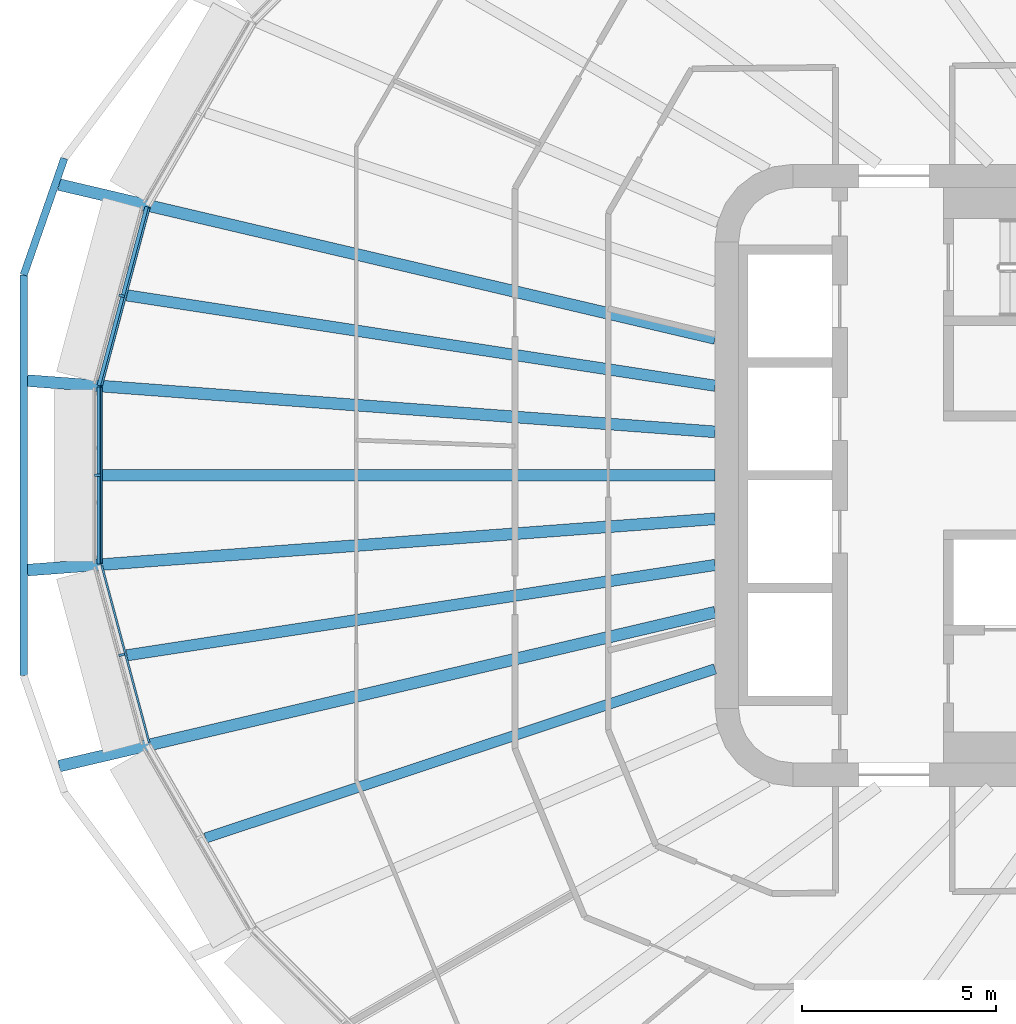
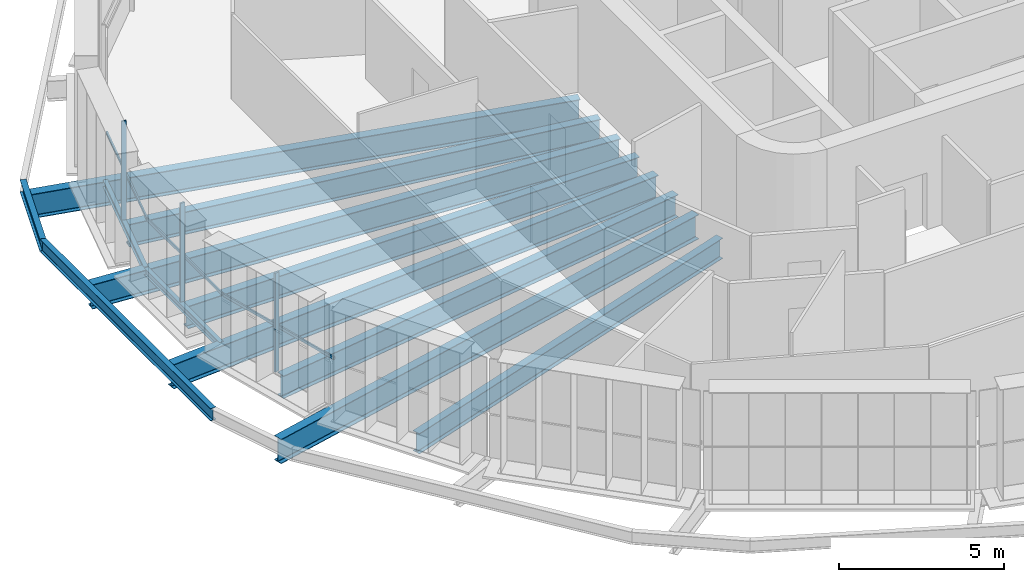
# One storey, part 3 of 24: 12 beams, 6 members, 3 elements without a shape of their own.
"""IFC4 building model written with IfcOpenShell, lengths in metres."""

import ifcopenshell
import ifcopenshell.guid

model = None  # the IFC model being written
_history = None  # IfcOwnerHistory: only IFC2X3 demands one
_inside = {}  # id of a spatial element -> (the spatial element, [elements in it])
_under = {}  # id of a project, library or spatial element -> (it, [spatial elements below it])
_declared = {}  # id of a project -> (the project, [libraries it declares])
_typed = {}  # id of a type object -> (the type object, [elements of that type])
_made_of = {}  # id of a material, layer set ... -> (it, [elements and type objects made of it])


def new_model(schema):
    """Start an empty IFC model of exactly this schema.

    Asked for "IFC4X3", IfcOpenShell would pick the latest addendum, in which some entities
    have other attributes; the version numbers below select the first issue.
    IFC2X3 requires an IfcOwnerHistory on every rooted entity: one is made here for all.
    """
    global model, _history
    if schema == "IFC4X3":
        model = ifcopenshell.file(schema_version=(4, 3, 0, 0))
    else:
        model = ifcopenshell.file(schema=schema)
    _inside.clear()
    _under.clear()
    _declared.clear()
    _typed.clear()
    _made_of.clear()
    _history = None
    if model.schema == "IFC2X3":
        org = make("IfcOrganization", Name="unknown")
        user = make(
            "IfcPersonAndOrganization",
            ThePerson=make("IfcPerson", FamilyName="unknown"),
            TheOrganization=org,
        )
        app = make(
            "IfcApplication",
            ApplicationDeveloper=org,
            Version="unknown",
            ApplicationFullName="unknown",
            ApplicationIdentifier="unknown",
        )
        _history = make(
            "IfcOwnerHistory",
            OwningUser=user,
            OwningApplication=app,
            ChangeAction="ADDED",
            CreationDate=0,
        )
    return model


def make(cls, **values):
    """One entity of the class cls with the attributes given. An attribute that is None is left unset."""
    return model.create_entity(
        cls, **{name: value for name, value in values.items() if value is not None}
    )


def rooted(cls, **values):
    """An entity with a GlobalId (a new one), such as an element, a storey or a relation."""
    return make(cls, GlobalId=ifcopenshell.guid.new(), OwnerHistory=_history, **values)


def si_unit(unit_type, name, prefix=None):
    """IfcSIUnit, for example si_unit("LENGTHUNIT", "METRE", prefix="MILLI")."""
    return make("IfcSIUnit", UnitType=unit_type, Prefix=prefix, Name=name)


def assignment(units):
    """IfcUnitAssignment: the units of a project."""
    return None if units is None else make("IfcUnitAssignment", Units=units)


def point(xyz):
    """IfcCartesianPoint."""
    return None if xyz is None else make("IfcCartesianPoint", Coordinates=xyz)


def direction(xyz):
    """IfcDirection."""
    return None if xyz is None else make("IfcDirection", DirectionRatios=xyz)


def frame(location, z_axis=None, x_axis=None):
    """IfcAxis2Placement3D, a coordinate frame: its origin and axes. An axis left out is left unset."""
    return make(
        "IfcAxis2Placement3D",
        Location=point(location),
        Axis=direction(z_axis),
        RefDirection=direction(x_axis),
    )


def frame_2d(location, x_axis=None):
    """IfcAxis2Placement2D, a coordinate frame in the plane: its origin and x axis."""
    return make(
        "IfcAxis2Placement2D", Location=point(location), RefDirection=direction(x_axis)
    )


def origin():
    """The frame at (0, 0, 0) with its axes left unset."""
    return frame((0.0, 0.0, 0.0))


def origin_2d():
    """The frame at (0, 0) in the plane with its x axis left unset."""
    return frame_2d((0.0, 0.0))


def place(relative_to, where):
    """IfcLocalPlacement: puts the frame where relative to a parent placement (None: the world)."""
    return make(
        "IfcLocalPlacement", PlacementRelTo=relative_to, RelativePlacement=where
    )


def context(
    kind, dimensions, precision=None, world=None, true_north=None, identifier=None
):
    """IfcGeometricRepresentationContext, for example the 3D "Model" context."""
    return make(
        "IfcGeometricRepresentationContext",
        ContextIdentifier=identifier,
        ContextType=kind,
        CoordinateSpaceDimension=dimensions,
        Precision=precision,
        WorldCoordinateSystem=world,
        TrueNorth=true_north,
    )


def subcontext(parent, identifier, kind, view, scale=None):
    """IfcGeometricRepresentationSubContext, for example "Body" below "Model"."""
    return make(
        "IfcGeometricRepresentationSubContext",
        ContextIdentifier=identifier,
        ContextType=kind,
        ParentContext=parent,
        TargetScale=scale,
        TargetView=view,
    )


def project(units=None, contexts=None):
    """IfcProject with its units and contexts."""
    return rooted(
        "IfcProject",
        Name="project",
        RepresentationContexts=contexts,
        UnitsInContext=assignment(units),
    )


def spatial(cls, under=None, at=None, **own):
    """A site, building, storey or space (cls), placed at a placement, below another one or the project."""
    s = rooted(cls, ObjectPlacement=at, **own)
    if under is not None:
        _under.setdefault(under.id(), (under, []))[1].append(s)
    return s


def profile(cls, at=None, kind="AREA", **sizes):
    """A parametric profile (cls). Its sizes go by their IFC names, for example OverallWidth=200.0."""
    return make(cls, ProfileType=kind, Position=at, **sizes)


def rectangle(**sizes):
    """IfcRectangleProfileDef."""
    return profile("IfcRectangleProfileDef", **sizes)


def i_section(**sizes):
    """IfcIShapeProfileDef."""
    return profile("IfcIShapeProfileDef", **sizes)


def extrude(swept, where, along, depth):
    """IfcExtrudedAreaSolid: the profile swept, set in the frame where, extruded along a direction by depth."""
    return make(
        "IfcExtrudedAreaSolid",
        SweptArea=swept,
        Position=where,
        ExtrudedDirection=direction(along),
        Depth=depth,
    )


def shape(context_of_items, identifier, shape_type, items):
    """IfcShapeRepresentation: the items that make up one representation, for example the "Body"."""
    return make(
        "IfcShapeRepresentation",
        ContextOfItems=context_of_items,
        RepresentationIdentifier=identifier,
        RepresentationType=shape_type,
        Items=items,
    )


def material(Name=None, Category=None):
    """IfcMaterial."""
    return make("IfcMaterial", Name=Name, Category=Category)


def layer(
    of_material, thickness, ventilated=None, Name=None, Category=None, Priority=None
):
    """IfcMaterialLayer: one layer of a wall or slab, of a material (None: an air gap)."""
    return make(
        "IfcMaterialLayer",
        Material=of_material,
        LayerThickness=thickness,
        IsVentilated=ventilated,
        Name=Name,
        Category=Category,
        Priority=Priority,
    )


def layer_set(layers, Name=None):
    """IfcMaterialLayerSet."""
    return make("IfcMaterialLayerSet", MaterialLayers=layers, LayerSetName=Name)


def material_profile(
    of_material, cross_section, Name=None, Category=None, Priority=None
):
    """IfcMaterialProfile: a cross section and its material."""
    return make(
        "IfcMaterialProfile",
        Name=Name,
        Material=of_material,
        Profile=cross_section,
        Priority=Priority,
        Category=Category,
    )


def profile_set(profiles, Name=None, composite=None):
    """IfcMaterialProfileSet."""
    return make(
        "IfcMaterialProfileSet",
        Name=Name,
        MaterialProfiles=profiles,
        CompositeProfile=composite,
    )


def made_of(thing, what):
    """Note that an element or type object is made of a material, layer set ...; save() writes the relation."""
    if what is not None:
        _made_of.setdefault(what.id(), (what, []))[1].append(thing)
    return thing


def type_object(cls, material=None, **own):
    """A type object (cls), such as IfcWallType, which elements share."""
    return made_of(rooted(cls, **own), material)


def element(
    cls,
    number,
    at=None,
    inside=None,
    cuts=None,
    type_object=None,
    material=None,
    context=None,
    identifier="Body",
    shape_type=None,
    held_by="IfcProductDefinitionShape",
    body=None,
    shapes=None,
    **own,
):
    """One element of the class cls, such as IfcWall. Its Tag is "e" and its number.

    at: its placement. inside: the storey or other place that contains it. cuts: it is an
    opening in that element (IfcRelVoidsElement). A single representation is given by context,
    identifier, shape_type and body (its items); several are given by shapes. held_by: the class
    of the entity that holds the representations. save() writes the other relations.
    """
    e = rooted(cls, Tag="e%d" % number, ObjectPlacement=at, **own)
    if body is not None:
        shapes = [shape(context, identifier, shape_type, body)]
    if shapes is not None:
        e.Representation = make(held_by, Representations=shapes)
    if inside is not None:
        _inside.setdefault(inside.id(), (inside, []))[1].append(e)
    if cuts is not None:
        rooted(
            "IfcRelVoidsElement", RelatingBuildingElement=cuts, RelatedOpeningElement=e
        )
    if type_object is not None:
        _typed.setdefault(type_object.id(), (type_object, []))[1].append(e)
    return made_of(e, material)


def aggregate(whole, parts):
    """IfcRelAggregates: a whole, such as a stair, and the parts it consists of."""
    return rooted("IfcRelAggregates", RelatingObject=whole, RelatedObjects=parts)


def save(model, path):
    """Write the relations noted so far, then the file.

    IfcRelAggregates (storeys below a building ...), IfcRelContainedInSpatialStructure (elements
    in a storey), IfcRelDefinesByType, IfcRelAssociatesMaterial and IfcRelDeclares: one each for
    every whole, place, type object, material and project.
    """
    for whole, parts in _under.values():
        aggregate(whole, parts)
    for where, things in _inside.values():
        rooted(
            "IfcRelContainedInSpatialStructure",
            RelatedElements=things,
            RelatingStructure=where,
        )
    for kind, things in _typed.values():
        rooted("IfcRelDefinesByType", RelatedObjects=things, RelatingType=kind)
    for what, things in _made_of.values():
        rooted("IfcRelAssociatesMaterial", RelatedObjects=things, RelatingMaterial=what)
    for by, libraries in _declared.values():
        rooted("IfcRelDeclares", RelatingContext=by, RelatedDefinitions=libraries)
    model.write(path)


model = new_model("IFC4")

# Units and contexts
model_context = context("Model", 3, precision=1e-05, world=origin(), true_north=direction((0.0, 1.0)))
body_context = subcontext(model_context, "Body", "Model", "MODEL_VIEW")
ifc_project = project(units=[si_unit("LENGTHUNIT", "METRE"), si_unit("AREAUNIT", "SQUARE_METRE"), si_unit("VOLUMEUNIT", "CUBIC_METRE"), si_unit("PLANEANGLEUNIT", "RADIAN"), si_unit("MASSUNIT", "GRAM", prefix="KILO")], contexts=[model_context])

# Site, building, storey
site_placement = place(None, origin())
site = spatial("IfcSite", under=ifc_project, at=site_placement, CompositionType="ELEMENT")
building_placement = place(site_placement, origin())
building = spatial("IfcBuilding", under=site, at=building_placement, Name="Sahrelin Media Tower", CompositionType="ELEMENT")
storey_placement = place(building_placement, frame((0.0, 0.0, 67.199951171875)))
storey = spatial("IfcBuildingStorey", under=building, at=storey_placement, Name="L11", CompositionType="ELEMENT", Elevation=67.199951171875)

# Beams
ifc_material_1 = material(Name="Steel S355", Category="steel")
ifc_material_profile_1 = material_profile(ifc_material_1, i_section(OverallWidth=0.14599609375, OverallDepth=0.25146484375, WebThickness=0.006103515625, FlangeThickness=0.008544921875, FilletRadius=0.007568359375, at=origin_2d()), Name="UB 254x146x31")
ifc_profile_set_1 = profile_set([ifc_material_profile_1], Name="Steel S355")
beam_type_1 = type_object("IfcBeamType", Name="Edge beam EB1", PredefinedType="BEAM", material=ifc_profile_set_1)
beam_1_placement = place(storey_placement, frame((-30.829833984375, -2.27490234375, -0.275634765625), z_axis=(0.0, 1.0, 0.0), x_axis=(-1.0, 0.0, 0.0)))
element("IfcBeam", 1, at=beam_1_placement, inside=storey, type_object=beam_type_1, Name="Edge beam L11-13", PredefinedType="BEAM", context=body_context, shape_type="SweptSolid", body=[
    extrude(i_section(OverallWidth=0.14599609375, OverallDepth=0.25146484375, WebThickness=0.006103515625, FlangeThickness=0.008544921875, FilletRadius=0.007568359375, at=origin_2d()), origin(), (0.0, 0.0, 1.0), 4.5498046875),
])
beam_2_placement = place(storey_placement, frame((-30.825927734375, 2.3037109375, -0.275634765625), z_axis=(0.258798441609, 0.965931346743, 0.0), x_axis=(-0.965931346743, 0.258798441609, 0.0)))
element("IfcBeam", 2, at=beam_2_placement, inside=storey, type_object=beam_type_1, Name="Edge beam L11-14", PredefinedType="BEAM", context=body_context, shape_type="SweptSolid", body=[
    extrude(i_section(OverallWidth=0.14599609375, OverallDepth=0.25146484375, WebThickness=0.006103515625, FlangeThickness=0.008544921875, FilletRadius=0.007568359375, at=origin_2d()), origin(), (0.0, 0.0, 1.0), 4.76220703125),
])

# Curtain wall, member
ifc_material_2 = material(Name="Champagne anodised aluminium 6063-T6", Category="aluminium")
ifc_layer = layer(ifc_material_2, 0.14990234375)
ifc_layer_set = layer_set([ifc_layer], Name="Tower ribbon curtain wall")
curtain_wall_type = type_object("IfcCurtainWallType", Name="Tower ribbon curtain wall", PredefinedType="NOTDEFINED", material=ifc_layer_set)
curtain_wall_1_placement = place(storey_placement, frame((-30.3544921875, 4.642333984375, 0.0), z_axis=(0.0, 0.0, 1.0), x_axis=(1.0, 0.0, 0.0)))
curtain_wall_1 = element("IfcCurtainWall", 3, at=curtain_wall_1_placement, inside=storey, type_object=curtain_wall_type, Name="L11:CW:L11-11", PredefinedType="NOTDEFINED")
ifc_material_profile_2 = material_profile(ifc_material_2, rectangle(XDim=0.06005859375, YDim=0.14990234375, at=origin_2d()), Name="Mullion 60x150")
ifc_profile_set_2 = profile_set([ifc_material_profile_2], Name="Champagne anodised aluminium 6063-T6")
member_type_1 = type_object("IfcMemberType", Name="Mullion 60x150 CW1", PredefinedType="MULLION", material=ifc_profile_set_2)
member_1_placement = place(storey_placement, frame((-30.262939453125, 4.617919921875, 0.0), z_axis=(0.0, 0.0, 1.0), x_axis=(-0.258817359244, -0.965926278012, 0.0)))
member_1 = element("IfcMember", 4, at=member_1_placement, type_object=member_type_1, Name="L11:CWM:L11-11", PredefinedType="MULLION", context=body_context, shape_type="SweptSolid", body=[
    extrude(rectangle(XDim=0.06005859375, YDim=0.14990234375, at=origin_2d()), origin(), (0.0, 0.0, 1.0), 3.648681640625),
])

curtain_wall_2_placement = place(storey_placement, frame((-30.979736328125, 0.0, 0.0), z_axis=(0.0, 0.0, 1.0), x_axis=(1.0, 0.0, 0.0)))
curtain_wall_2 = element("IfcCurtainWall", 5, at=curtain_wall_2_placement, inside=storey, type_object=curtain_wall_type, Name="L11:CW:L11-12", PredefinedType="NOTDEFINED")
member_2_placement = place(storey_placement, frame((-30.884765625, 0.0, 0.0), z_axis=(0.0, 0.0, 1.0), x_axis=(0.0, -1.0, 0.0)))
member_2 = element("IfcMember", 6, at=member_2_placement, type_object=member_type_1, Name="L11:CWM:L11-12", PredefinedType="MULLION", context=body_context, shape_type="SweptSolid", body=[
    extrude(rectangle(XDim=0.06005859375, YDim=0.14990234375, at=origin_2d()), origin(), (0.0, 0.0, 1.0), 3.648681640625),
])

curtain_wall_3_placement = place(storey_placement, frame((-30.354736328125, -4.642333984375, 0.0), z_axis=(0.0, 0.0, 1.0), x_axis=(1.0, 0.0, 0.0)))
curtain_wall_3 = element("IfcCurtainWall", 7, at=curtain_wall_3_placement, inside=storey, type_object=curtain_wall_type, Name="L11:CW:L11-13", PredefinedType="NOTDEFINED")
member_3_placement = place(storey_placement, frame((-30.262939453125, -4.617919921875, 0.0), z_axis=(0.0, 0.0, 1.0), x_axis=(0.258817359244, -0.965926278012, 0.0)))
member_3 = element("IfcMember", 8, at=member_3_placement, type_object=member_type_1, Name="L11:CWM:L11-13", PredefinedType="MULLION", context=body_context, shape_type="SweptSolid", body=[
    extrude(rectangle(XDim=0.06005859375, YDim=0.14990234375, at=origin_2d()), origin(), (0.0, 0.0, 1.0), 3.648681640625),
])

# Beams
ifc_material_profile_3 = material_profile(ifc_material_1, i_section(OverallWidth=0.30322265625, OverallDepth=0.903076171875, WebThickness=0.01513671875, FlangeThickness=0.020263671875, FilletRadius=0.01904296875, at=origin_2d()), Name="UB 914x305x201")
ifc_profile_set_3 = profile_set([ifc_material_profile_3], Name="Steel S355")
beam_type_2 = type_object("IfcBeamType", Name="Radial primary beam PB11", PredefinedType="BEAM", material=ifc_profile_set_3)
beam_3_placement = place(storey_placement, frame((-15.0, 3.51953125, -0.6015625), z_axis=(-0.973561266375, 0.228426050648, 0.0), x_axis=(-0.228426050648, -0.973561266375, 0.0)))
element("IfcBeam", 9, at=beam_3_placement, inside=storey, type_object=beam_type_2, Name="Radial beam L11-11", PredefinedType="BEAM", context=body_context, shape_type="SweptSolid", body=[
    extrude(i_section(OverallWidth=0.30322265625, OverallDepth=0.903076171875, WebThickness=0.01513671875, FlangeThickness=0.020263671875, FilletRadius=0.01904296875, at=origin_2d()), origin(), (0.0, 0.0, 1.0), 17.33056640625),
])
for number, where, z_axis, x_axis, name in (
    (10, (-15.0, 1.1181640625, -0.6015625), (-0.997233545048, 0.074332070001, 0.0), (-0.074332070001, -0.997233545048, 0.0), "Radial beam L11-12"),
    (11, (-15.0, -1.1181640625, -0.6015625), (-0.997233545048, -0.074332070001, 0.0), (0.074332070001, -0.997233545048, 0.0), "Radial beam L11-13"),
):
    element("IfcBeam", number, at=place(storey_placement, frame(where, z_axis=z_axis, x_axis=x_axis)), inside=storey, type_object=beam_type_2, Name=name, PredefinedType="BEAM", context=body_context, shape_type="SweptSolid", body=[
        extrude(i_section(OverallWidth=0.30322265625, OverallDepth=0.903076171875, WebThickness=0.01513671875, FlangeThickness=0.020263671875, FilletRadius=0.01904296875, at=origin_2d()), origin(), (0.0, 0.0, 1.0), 17.736083984375),
    ])
beam_4_placement = place(storey_placement, frame((-15.0, -3.51953125, -0.6015625), z_axis=(-0.973561266375, -0.228426050648, 0.0), x_axis=(0.228426050648, -0.973561266375, 0.0)))
element("IfcBeam", 12, at=beam_4_placement, inside=storey, type_object=beam_type_2, Name="Radial beam L11-14", PredefinedType="BEAM", context=body_context, shape_type="SweptSolid", body=[
    extrude(i_section(OverallWidth=0.30322265625, OverallDepth=0.903076171875, WebThickness=0.01513671875, FlangeThickness=0.020263671875, FilletRadius=0.01904296875, at=origin_2d()), origin(), (0.0, 0.0, 1.0), 17.33056640625),
])
ifc_material_profile_4 = material_profile(ifc_material_1, i_section(OverallWidth=0.291748046875, OverallDepth=0.8349609375, WebThickness=0.013916015625, FlangeThickness=0.018798828125, FilletRadius=0.017822265625, at=origin_2d()), Name="UB 838x292x176")
ifc_profile_set_4 = profile_set([ifc_material_profile_4], Name="Steel S355")
beam_type_3 = type_object("IfcBeamType", Name="Radial secondary beam SB10", PredefinedType="BEAM", material=ifc_profile_set_4)
beam_5_placement = place(storey_placement, frame((-15.0, 2.304443359375, -0.5673828125), z_axis=(-0.988404316097, 0.151845012829, 0.0), x_axis=(-0.151845012829, -0.988404316097, 0.0)))
element("IfcBeam", 13, at=beam_5_placement, inside=storey, type_object=beam_type_3, Name="Secondary beam L11-11", PredefinedType="BEAM", context=body_context, shape_type="SweptSolid", body=[
    extrude(i_section(OverallWidth=0.291748046875, OverallDepth=0.8349609375, WebThickness=0.013916015625, FlangeThickness=0.018798828125, FilletRadius=0.017822265625, at=origin_2d()), origin(), (0.0, 0.0, 1.0), 15.304931640625),
])
beam_6_placement = place(storey_placement, frame((-15.0, 0.0, -0.5673828125), z_axis=(-1.0, 0.0, 0.0), x_axis=(0.0, -1.0, 0.0)))
element("IfcBeam", 14, at=beam_6_placement, inside=storey, type_object=beam_type_3, Name="Secondary beam L11-12", PredefinedType="BEAM", context=body_context, shape_type="SweptSolid", body=[
    extrude(i_section(OverallWidth=0.291748046875, OverallDepth=0.8349609375, WebThickness=0.013916015625, FlangeThickness=0.018798828125, FilletRadius=0.017822265625, at=origin_2d()), origin(), (0.0, 0.0, 1.0), 15.7568359375),
])
beam_7_placement = place(storey_placement, frame((-15.0, -2.304443359375, -0.5673828125), z_axis=(-0.988404316097, -0.151845012829, 0.0), x_axis=(0.151845012829, -0.988404316097, 0.0)))
element("IfcBeam", 15, at=beam_7_placement, inside=storey, type_object=beam_type_3, Name="Secondary beam L11-13", PredefinedType="BEAM", context=body_context, shape_type="SweptSolid", body=[
    extrude(i_section(OverallWidth=0.291748046875, OverallDepth=0.8349609375, WebThickness=0.013916015625, FlangeThickness=0.018798828125, FilletRadius=0.017822265625, at=origin_2d()), origin(), (0.0, 0.0, 1.0), 15.304931640625),
])
ifc_material_profile_5 = material_profile(ifc_material_1, i_section(OverallWidth=0.26513671875, OverallDepth=0.75390625, WebThickness=0.0126953125, FlangeThickness=0.017578125, FilletRadius=0.0166015625, at=origin_2d()), Name="UB 762x267x147")
ifc_profile_set_5 = profile_set([ifc_material_profile_5], Name="Steel S355")
beam_type_4 = type_object("IfcBeamType", Name="Radial secondary beam SB9", PredefinedType="BEAM", material=ifc_profile_set_5)
beam_8_placement = place(storey_placement, frame((-15.0, -4.977783203125, -0.52685546875), z_axis=(-0.949108592973, -0.314949009752, 0.0), x_axis=(0.314949009752, -0.949108592973, 0.0)))
element("IfcBeam", 16, at=beam_8_placement, inside=storey, type_object=beam_type_4, Name="Secondary beam L11-14", PredefinedType="BEAM", context=body_context, shape_type="SweptSolid", body=[
    extrude(i_section(OverallWidth=0.26513671875, OverallDepth=0.75390625, WebThickness=0.0126953125, FlangeThickness=0.017578125, FilletRadius=0.0166015625, at=origin_2d()), origin(), (0.0, 0.0, 1.0), 13.806640625),
])
ifc_material_profile_6 = material_profile(ifc_material_1, i_section(OverallWidth=0.1904296875, OverallDepth=0.45703125, WebThickness=0.009033203125, FlangeThickness=0.014404296875, FilletRadius=0.01025390625, at=origin_2d()), Name="UB 457x191x74")
ifc_profile_set_6 = profile_set([ifc_material_profile_6], Name="Steel S355")
beam_type_5 = type_object("IfcBeamType", Name="Tie chord TC5", PredefinedType="BEAM", material=ifc_profile_set_6)
beam_9_placement = place(storey_placement, frame((-31.73828125, 8.152587890625, -0.37841796875), z_axis=(-0.328794988559, -0.944401321207, 0.0), x_axis=(0.944401321207, -0.328794988559, 0.0)))
element("IfcBeam", 17, at=beam_9_placement, inside=storey, type_object=beam_type_5, Name="Tie chord L11-11", PredefinedType="BEAM", context=body_context, shape_type="SweptSolid", body=[
    extrude(i_section(OverallWidth=0.1904296875, OverallDepth=0.45703125, WebThickness=0.009033203125, FlangeThickness=0.014404296875, FilletRadius=0.01025390625, at=origin_2d()), origin(), (0.0, 0.0, 1.0), 3.175048828125),
])
beam_10_placement = place(storey_placement, frame((-32.7822265625, 5.154052734375, -0.37841796875), z_axis=(0.0, -1.0, 0.0), x_axis=(1.0, 0.0, 0.0)))
element("IfcBeam", 18, at=beam_10_placement, inside=storey, type_object=beam_type_5, Name="Tie chord L11-12", PredefinedType="BEAM", context=body_context, shape_type="SweptSolid", body=[
    extrude(i_section(OverallWidth=0.1904296875, OverallDepth=0.45703125, WebThickness=0.009033203125, FlangeThickness=0.014404296875, FilletRadius=0.01025390625, at=origin_2d()), origin(), (0.0, 0.0, 1.0), 10.30810546875),
])

# Member
ifc_material_profile_7 = material_profile(ifc_material_2, rectangle(XDim=0.050048828125, YDim=0.10009765625, at=origin_2d()), Name="Transom 50x100")
ifc_profile_set_7 = profile_set([ifc_material_profile_7], Name="Champagne anodised aluminium 6063-T6")
member_type_2 = type_object("IfcMemberType", Name="Transom 50x100 CW1", PredefinedType="USERDEFINED", material=ifc_profile_set_7)
member_4_placement = place(storey_placement, frame((-29.55419921875, 6.876708984375, 1.60009765625), z_axis=(-0.258809172667, -0.965928471546, 0.0), x_axis=(0.965928471546, -0.258809172667, 0.0)))
member_4 = element("IfcMember", 19, at=member_4_placement, type_object=member_type_2, Name="L11:CWT:L11-11", ObjectType="TRANSOM", PredefinedType="USERDEFINED", context=body_context, shape_type="SweptSolid", body=[
    extrude(rectangle(XDim=0.050048828125, YDim=0.10009765625, at=origin_2d()), origin(), (0.0, 0.0, 1.0), 4.730712890625),
])

aggregate(curtain_wall_1, [member_1, member_4])

member_5_placement = place(storey_placement, frame((-30.784912109375, 2.25927734375, 1.60009765625), z_axis=(0.0, -1.0, 0.0), x_axis=(1.0, 0.0, 0.0)))
member_5 = element("IfcMember", 20, at=member_5_placement, type_object=member_type_2, Name="L11:CWT:L11-12", ObjectType="TRANSOM", PredefinedType="USERDEFINED", context=body_context, shape_type="SweptSolid", body=[
    extrude(rectangle(XDim=0.050048828125, YDim=0.10009765625, at=origin_2d()), origin(), (0.0, 0.0, 1.0), 4.5185546875),
])

aggregate(curtain_wall_2, [member_2, member_5])

member_6_placement = place(storey_placement, frame((-30.778564453125, -2.30712890625, 1.60009765625), z_axis=(0.258809172667, -0.965928471546, 0.0), x_axis=(0.965928471546, 0.258809172667, 0.0)))
member_6 = element("IfcMember", 21, at=member_6_placement, type_object=member_type_2, Name="L11:CWT:L11-13", ObjectType="TRANSOM", PredefinedType="USERDEFINED", context=body_context, shape_type="SweptSolid", body=[
    extrude(rectangle(XDim=0.050048828125, YDim=0.10009765625, at=origin_2d()), origin(), (0.0, 0.0, 1.0), 4.730712890625),
])

aggregate(curtain_wall_3, [member_3, member_6])

save(model, "model.ifc")
